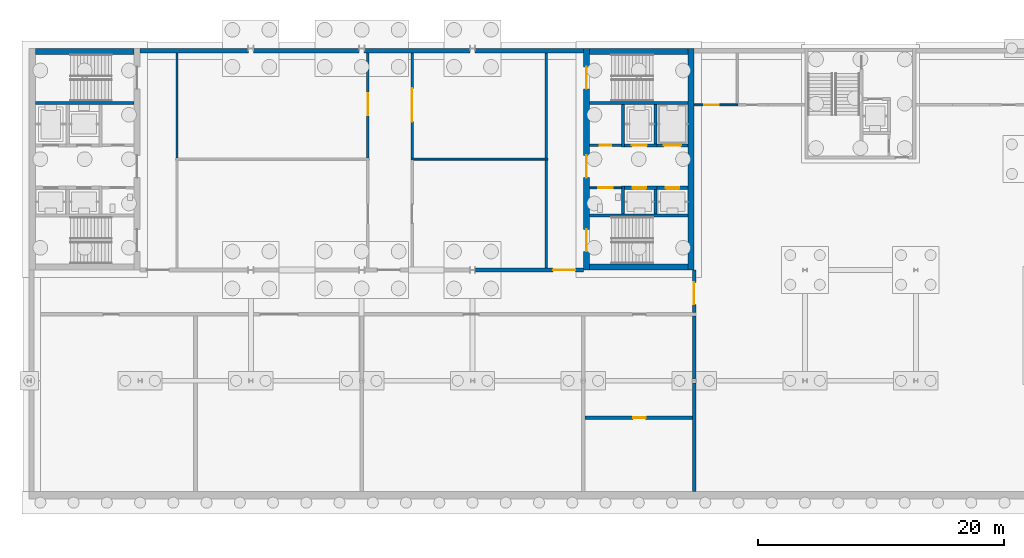
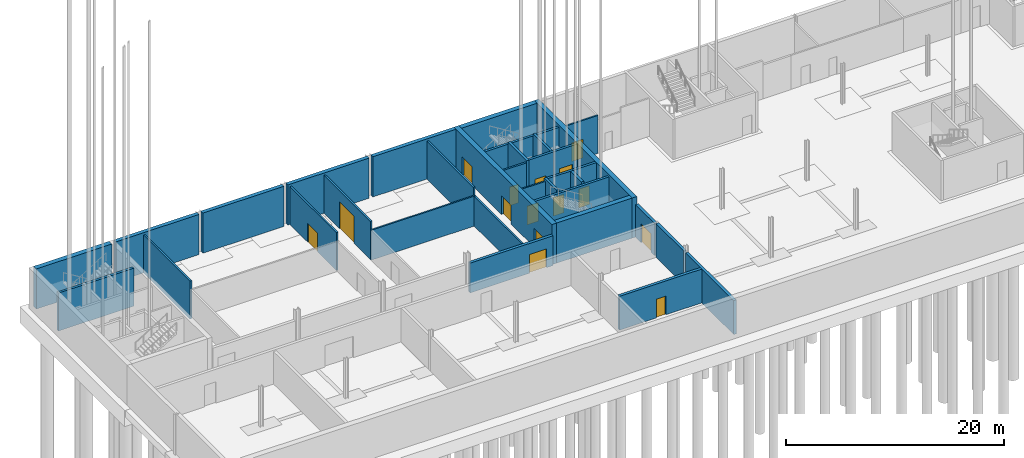
# One storey, part 13 of 41: 34 walls, 15 doors, 15 openings.
"""IFC4 building model written with IfcOpenShell, lengths in metres."""

from ifc_helpers import new_model, si_unit, direction, frame, frame_2d, origin, place, context, subcontext, project, spatial, rectangle, extrude, material, layer, layer_set, type_object, element, fill, save


model = new_model("IFC4")

# Units and contexts
model_context = context("Model", 3, precision=1e-05, world=origin(), true_north=direction((0.0, 1.0)))
body_context = subcontext(model_context, "Body", "Model", "MODEL_VIEW")
ifc_project = project(units=[si_unit("LENGTHUNIT", "METRE"), si_unit("AREAUNIT", "SQUARE_METRE"), si_unit("VOLUMEUNIT", "CUBIC_METRE"), si_unit("PLANEANGLEUNIT", "RADIAN"), si_unit("MASSUNIT", "GRAM", prefix="KILO")], contexts=[model_context])

# Site, building, storey
site_placement = place(None, origin())
site = spatial("IfcSite", under=ifc_project, at=site_placement, CompositionType="ELEMENT")
building_placement = place(site_placement, origin())
building = spatial("IfcBuilding", under=site, at=building_placement, Name="Corbel Yard City Hall", CompositionType="ELEMENT")
storey_placement = place(building_placement, frame((0.0, 0.0, -4.5)))
storey = spatial("IfcBuildingStorey", under=building, at=storey_placement, Name="B1", CompositionType="ELEMENT", Elevation=-4.5)

# Walls
ifc_material_1 = material(Name="Concrete N40 (40 MPa)", Category="concrete")
ifc_layer_1 = layer(ifc_material_1, 0.25)
ifc_layer_set_1 = layer_set([ifc_layer_1], Name="Concrete N40 (40 MPa)")
wall_type_1 = type_object("IfcWallType", Name="IW2", PredefinedType="SOLIDWALL", material=ifc_layer_set_1)
for number, where, z_axis, x_axis, name in (
    (1, (8.5, 112.574951171875, 0.0), (0.0, 0.0, 1.0), (-1.0, 0.0, 0.0), "Stair enclosure wall"),
    (2, (45.5, 103.425048828125, 0.0), (0.0, 0.0, 1.0), (1.0, 0.0, 0.0), "Stair enclosure wall"),
    (3, (45.5, 112.574951171875, 0.0), (0.0, 0.0, 1.0), (1.0, 0.0, 0.0), "Stair enclosure wall"),
):
    element("IfcWall", number, at=place(storey_placement, frame(where, z_axis=z_axis, x_axis=x_axis)), inside=storey, type_object=wall_type_1, Name=name, PredefinedType="SOLIDWALL", context=body_context, shape_type="SweptSolid", body=[
        extrude(rectangle(XDim=8.0, YDim=0.25, at=frame_2d((4.0, 0.0))), origin(), (0.0, 0.0, 1.0), 4.25),
    ])
wall_1_placement = place(storey_placement, frame((48.22509765625, 103.550048828125, 0.0), z_axis=(0.0, 0.0, 1.0), x_axis=(0.0, 1.0, 0.0)))
element("IfcWall", 4, at=wall_1_placement, inside=storey, type_object=wall_type_1, Name="Lift LP25 shaft wall", PredefinedType="SOLIDWALL", context=body_context, shape_type="SweptSolid", body=[
    extrude(rectangle(XDim=2.25, YDim=0.25, at=frame_2d((1.125, 0.0))), origin(), (0.0, 0.0, 1.0), 4.5),
])
wall_2_placement = place(storey_placement, frame((50.875, 103.550048828125, 0.0), z_axis=(0.0, 0.0, 1.0), x_axis=(0.0, 1.0, 0.0)))
element("IfcWall", 5, at=wall_2_placement, inside=storey, type_object=wall_type_1, Name="Lift LP25 shaft wall", PredefinedType="SOLIDWALL", context=body_context, shape_type="SweptSolid", body=[
    extrude(rectangle(XDim=2.0, YDim=0.25, at=frame_2d((1.0, 0.0))), origin(), (0.0, 0.0, 1.0), 4.5),
])

# Wall, opening, door
wall_3_placement = place(storey_placement, frame((48.35009765625, 105.675048828125, 0.0), z_axis=(0.0, 0.0, 1.0), x_axis=(1.0, 0.0, 0.0)))
wall_3 = element("IfcWall", 6, at=wall_3_placement, inside=storey, type_object=wall_type_1, Name="Lift LP25 shaft wall", PredefinedType="SOLIDWALL", context=body_context, shape_type="SweptSolid", body=[
    extrude(rectangle(XDim=2.64990234375, YDim=0.25, at=frame_2d((1.324951171875, 0.0))), origin(), (0.0, 0.0, 1.0), 4.5),
])
opening_1_placement = place(wall_3_placement, frame((0.64990234375, 0.0, 0.0)))
opening_1 = element("IfcOpeningElement", 7, at=opening_1_placement, cuts=wall_3, Name="Opening B1-053", PredefinedType="OPENING", context=body_context, shape_type="SweptSolid", body=[
    extrude(rectangle(XDim=1.10009765625, YDim=2.10009765625, at=frame_2d((0.550048828125, 1.050048828125))), frame((0.0, 0.135009765625, 0.0), z_axis=(0.0, -1.0, 0.0), x_axis=(1.0, 0.0, 0.0)), (0.0, 0.0, 1.0), 0.27001953125),
])
ifc_material_2 = material(Name="Stainless steel Grade 316", Category="steel")
door_type_1 = type_object("IfcDoorType", Name="LD1", OperationType="DOUBLE_DOOR_SLIDING", PredefinedType="DOOR", material=ifc_material_2)
door_1_placement = place(opening_1_placement, origin())
door_1 = element("IfcDoor", 8, at=door_1_placement, inside=storey, type_object=door_type_1, Name="Lift LP25 landing door", OperationType="DOUBLE_DOOR_SLIDING", OverallHeight=2.10009765625, OverallWidth=1.10009765625, PredefinedType="DOOR", context=body_context, shape_type="SweptSolid", body=[
    extrude(rectangle(XDim=1.10009765625, YDim=2.10009765625, at=frame_2d((0.550048828125, 1.050048828125))), frame((0.0, 0.02490234375, 0.0), z_axis=(0.0, -1.0, 0.0), x_axis=(1.0, 0.0, 0.0)), (0.0, 0.0, 1.0), 0.050048828125),
])
fill(opening_1, door_1)

wall_4_placement = place(storey_placement, frame((51.0, 105.675048828125, 0.0), z_axis=(0.0, 0.0, 1.0), x_axis=(1.0, 0.0, 0.0)))
wall_4 = element("IfcWall", 9, at=wall_4_placement, inside=storey, type_object=wall_type_1, Name="Lift LP26 shaft wall", PredefinedType="SOLIDWALL", context=body_context, shape_type="SweptSolid", body=[
    extrude(rectangle(XDim=2.5, YDim=0.25, at=frame_2d((1.25, 0.0))), origin(), (0.0, 0.0, 1.0), 4.5),
])
opening_2_placement = place(wall_4_placement, frame((0.699951171875, 0.0, 0.0)))
opening_2 = element("IfcOpeningElement", 10, at=opening_2_placement, cuts=wall_4, Name="Opening B1-054", PredefinedType="OPENING", context=body_context, shape_type="SweptSolid", body=[
    extrude(rectangle(XDim=1.10009765625, YDim=2.10009765625, at=frame_2d((0.550048828125, 1.050048828125))), frame((0.0, 0.135009765625, 0.0), z_axis=(0.0, -1.0, 0.0), x_axis=(1.0, 0.0, 0.0)), (0.0, 0.0, 1.0), 0.27001953125),
])
door_2_placement = place(opening_2_placement, origin())
door_2 = element("IfcDoor", 11, at=door_2_placement, inside=storey, type_object=door_type_1, Name="Lift LP26 landing door", OperationType="DOUBLE_DOOR_SLIDING", OverallHeight=2.10009765625, OverallWidth=1.10009765625, PredefinedType="DOOR", context=body_context, shape_type="SweptSolid", body=[
    extrude(rectangle(XDim=1.10009765625, YDim=2.10009765625, at=frame_2d((0.550048828125, 1.050048828125))), frame((0.0, 0.02490234375, 0.0), z_axis=(0.0, -1.0, 0.0), x_axis=(1.0, 0.0, 0.0)), (0.0, 0.0, 1.0), 0.050048828125),
])
fill(opening_2, door_2)

# Walls
wall_5_placement = place(storey_placement, frame((48.22509765625, 109.0, 0.0), z_axis=(0.0, 0.0, 1.0), x_axis=(0.0, 1.0, 0.0)))
element("IfcWall", 12, at=wall_5_placement, inside=storey, type_object=wall_type_1, Name="Lift LF2 shaft wall", PredefinedType="SOLIDWALL", context=body_context, shape_type="SweptSolid", body=[
    extrude(rectangle(XDim=3.449951171875, YDim=0.25, at=frame_2d((1.72509765625, 0.0))), origin(), (0.0, 0.0, 1.0), 4.5),
])
wall_6_placement = place(storey_placement, frame((50.875, 109.25, 0.0), z_axis=(0.0, 0.0, 1.0), x_axis=(0.0, 1.0, 0.0)))
element("IfcWall", 13, at=wall_6_placement, inside=storey, type_object=wall_type_1, Name="Lift LF2 shaft wall", PredefinedType="SOLIDWALL", context=body_context, shape_type="SweptSolid", body=[
    extrude(rectangle(XDim=3.199951171875, YDim=0.25, at=frame_2d((1.60009765625, 0.0))), origin(), (0.0, 0.0, 1.0), 4.5),
])

# Wall, opening, door
wall_7_placement = place(storey_placement, frame((48.35009765625, 109.125, 0.0), z_axis=(0.0, 0.0, 1.0), x_axis=(1.0, 0.0, 0.0)))
wall_7 = element("IfcWall", 14, at=wall_7_placement, inside=storey, type_object=wall_type_1, Name="Lift LF2 shaft wall", PredefinedType="SOLIDWALL", context=body_context, shape_type="SweptSolid", body=[
    extrude(rectangle(XDim=2.64990234375, YDim=0.25, at=frame_2d((1.324951171875, 0.0))), origin(), (0.0, 0.0, 1.0), 4.5),
])
opening_3_placement = place(wall_7_placement, frame((0.60009765625, 0.0, 0.0)))
opening_3 = element("IfcOpeningElement", 15, at=opening_3_placement, cuts=wall_7, Name="Opening B1-055", PredefinedType="OPENING", context=body_context, shape_type="SweptSolid", body=[
    extrude(rectangle(XDim=1.199951171875, YDim=2.10009765625, at=frame_2d((0.60009765625, 1.050048828125))), frame((0.0, 0.135009765625, 0.0), z_axis=(0.0, -1.0, 0.0), x_axis=(1.0, 0.0, 0.0)), (0.0, 0.0, 1.0), 0.27001953125),
])
door_type_2 = type_object("IfcDoorType", Name="LD2", OperationType="DOUBLE_DOOR_SLIDING", PredefinedType="DOOR", material=ifc_material_2)
door_3_placement = place(opening_3_placement, origin())
door_3 = element("IfcDoor", 16, at=door_3_placement, inside=storey, type_object=door_type_2, Name="Lift LF2 landing door", OperationType="DOUBLE_DOOR_SLIDING", OverallHeight=2.10009765625, OverallWidth=1.199951171875, PredefinedType="DOOR", context=body_context, shape_type="SweptSolid", body=[
    extrude(rectangle(XDim=1.199951171875, YDim=2.10009765625, at=frame_2d((0.60009765625, 1.050048828125))), frame((0.0, 0.02490234375, 0.0), z_axis=(0.0, -1.0, 0.0), x_axis=(1.0, 0.0, 0.0)), (0.0, 0.0, 1.0), 0.050048828125),
])
fill(opening_3, door_3)

wall_8_placement = place(storey_placement, frame((51.0, 109.125, 0.0), z_axis=(0.0, 0.0, 1.0), x_axis=(1.0, 0.0, 0.0)))
wall_8 = element("IfcWall", 17, at=wall_8_placement, inside=storey, type_object=wall_type_1, Name="Lift LG1 shaft wall", PredefinedType="SOLIDWALL", context=body_context, shape_type="SweptSolid", body=[
    extrude(rectangle(XDim=2.5, YDim=0.25, at=frame_2d((1.25, 0.0))), origin(), (0.0, 0.0, 1.0), 4.5),
])
opening_4_placement = place(wall_8_placement, frame((0.550048828125, 0.0, 0.0)))
opening_4 = element("IfcOpeningElement", 18, at=opening_4_placement, cuts=wall_8, Name="Opening B1-056", PredefinedType="OPENING", context=body_context, shape_type="SweptSolid", body=[
    extrude(rectangle(XDim=1.39990234375, YDim=2.39990234375, at=frame_2d((0.699951171875, 1.199951171875))), frame((0.0, 0.135009765625, 0.0), z_axis=(0.0, -1.0, 0.0), x_axis=(1.0, 0.0, 0.0)), (0.0, 0.0, 1.0), 0.27001953125),
])
door_type_3 = type_object("IfcDoorType", Name="LD3", OperationType="DOUBLE_DOOR_SLIDING", PredefinedType="DOOR", material=ifc_material_2)
door_4_placement = place(opening_4_placement, origin())
door_4 = element("IfcDoor", 19, at=door_4_placement, inside=storey, type_object=door_type_3, Name="Lift LG1 landing door", OperationType="DOUBLE_DOOR_SLIDING", OverallHeight=2.39990234375, OverallWidth=1.39990234375, PredefinedType="DOOR", context=body_context, shape_type="SweptSolid", body=[
    extrude(rectangle(XDim=1.39990234375, YDim=2.39990234375, at=frame_2d((0.699951171875, 1.199951171875))), frame((0.0, 0.02490234375, 0.0), z_axis=(0.0, -1.0, 0.0), x_axis=(1.0, 0.0, 0.0)), (0.0, 0.0, 1.0), 0.050048828125),
])
fill(opening_4, door_4)

ifc_material_3 = material(Name="Concrete block", Category="concrete")
ifc_layer_2 = layer(ifc_material_3, 0.300048828125)
ifc_layer_set_2 = layer_set([ifc_layer_2], Name="Concrete block")
wall_type_2 = type_object("IfcWallType", Name="PT24", PredefinedType="PARTITIONING", material=ifc_layer_set_2)
wall_9_placement = place(storey_placement, frame((45.14990234375, 87.0, 0.0), z_axis=(0.0, 0.0, 1.0), x_axis=(1.0, 0.0, 0.0)))
wall_9 = element("IfcWall", 20, at=wall_9_placement, inside=storey, type_object=wall_type_2, Name="Rated plant wall", PredefinedType="PARTITIONING", context=body_context, shape_type="SweptSolid", body=[
    extrude(rectangle(XDim=8.7001953125, YDim=0.300048828125, at=frame_2d((4.35009765625, 0.0))), origin(), (0.0, 0.0, 1.0), 3.7900390625),
])
opening_5_placement = place(wall_9_placement, frame((3.89990234375, 0.0, 0.0)))
opening_5 = element("IfcOpeningElement", 21, at=opening_5_placement, cuts=wall_9, Name="Opening B1-029", PredefinedType="OPENING", context=body_context, shape_type="SweptSolid", body=[
    extrude(rectangle(XDim=1.0, YDim=2.10009765625, at=frame_2d((0.5, 1.050048828125))), frame((0.0, 0.159912109375, 0.0), z_axis=(0.0, -1.0, 0.0), x_axis=(1.0, 0.0, 0.0)), (0.0, 0.0, 1.0), 0.320068359375),
])
ifc_material_4 = material(Name="Steel Grade G250", Category="steel")
door_type_4 = type_object("IfcDoorType", Name="FS1", OperationType="SINGLE_SWING_LEFT", PredefinedType="DOOR", material=ifc_material_4)
door_5_placement = place(opening_5_placement, frame((1.0, 0.0, 0.0), z_axis=(0.0, 0.0, 1.0), x_axis=(-1.0, 0.0, 0.0)))
door_5 = element("IfcDoor", 22, at=door_5_placement, inside=storey, type_object=door_type_4, Name="Door Fire Water Tank Room", OperationType="SINGLE_SWING_LEFT", OverallHeight=2.10009765625, OverallWidth=1.0, PredefinedType="DOOR", context=body_context, shape_type="SweptSolid", body=[
    extrude(rectangle(XDim=1.0, YDim=2.10009765625, at=frame_2d((0.5, 1.050048828125))), frame((0.0, 0.02490234375, 0.0), z_axis=(0.0, -1.0, 0.0), x_axis=(1.0, 0.0, 0.0)), (0.0, 0.0, 1.0), 0.050048828125),
])
fill(opening_5, door_5)

wall_10_placement = place(storey_placement, frame((36.25, 99.0, 0.0), z_axis=(0.0, 0.0, 1.0), x_axis=(1.0, 0.0, 0.0)))
wall_10 = element("IfcWall", 23, at=wall_10_placement, inside=storey, type_object=wall_type_2, Name="Rated plant wall", PredefinedType="PARTITIONING", context=body_context, shape_type="SweptSolid", body=[
    extrude(rectangle(XDim=8.75, YDim=0.300048828125, at=frame_2d((4.375, 0.0))), origin(), (0.0, 0.0, 1.0), 3.340087890625),
])
opening_6_placement = place(wall_10_placement, frame((6.300048828125, 0.0, 0.0)))
opening_6 = element("IfcOpeningElement", 24, at=opening_6_placement, cuts=wall_10, Name="Opening B1-037", PredefinedType="OPENING", context=body_context, shape_type="SweptSolid", body=[
    extrude(rectangle(XDim=1.800048828125, YDim=2.10009765625, at=frame_2d((0.89990234375, 1.050048828125))), frame((0.0, 0.159912109375, 0.0), z_axis=(0.0, -1.0, 0.0), x_axis=(1.0, 0.0, 0.0)), (0.0, 0.0, 1.0), 0.320068359375),
])
door_type_5 = type_object("IfcDoorType", Name="FS3", OperationType="DOUBLE_DOOR_SINGLE_SWING", PredefinedType="DOOR", material=ifc_material_4)
door_6_placement = place(opening_6_placement, origin())
door_6 = element("IfcDoor", 25, at=door_6_placement, inside=storey, type_object=door_type_5, Name="Door Plant Corridor East Link", OperationType="DOUBLE_DOOR_SINGLE_SWING", OverallHeight=2.10009765625, OverallWidth=1.800048828125, PredefinedType="DOOR", context=body_context, shape_type="SweptSolid", body=[
    extrude(rectangle(XDim=1.800048828125, YDim=2.10009765625, at=frame_2d((0.89990234375, 1.050048828125))), frame((0.0, 0.02490234375, 0.0), z_axis=(0.0, -1.0, 0.0), x_axis=(1.0, 0.0, 0.0)), (0.0, 0.0, 1.0), 0.050048828125),
])
fill(opening_6, door_6)

# Walls
wall_11_placement = place(storey_placement, frame((54.0, 81.0, 0.0), z_axis=(0.0, 0.0, 1.0), x_axis=(0.0, 1.0, 0.0)))
element("IfcWall", 26, at=wall_11_placement, inside=storey, type_object=wall_type_2, Name="Rated plant wall", PredefinedType="PARTITIONING", context=body_context, shape_type="SweptSolid", body=[
    extrude(rectangle(XDim=8.83642578125, YDim=0.300048828125, at=frame_2d((4.418212890625, 0.0))), origin(), (0.0, 0.0, 1.0), 3.7900390625),
])
wall_12_placement = place(storey_placement, frame((54.0, 90.16357421875, 0.0), z_axis=(0.0, 0.0, 1.0), x_axis=(0.0, 1.0, 0.0)))
element("IfcWall", 27, at=wall_12_placement, inside=storey, type_object=wall_type_2, Name="Rated plant wall", PredefinedType="PARTITIONING", context=body_context, shape_type="SweptSolid", body=[
    extrude(rectangle(XDim=5.08642578125, YDim=0.300048828125, at=frame_2d((2.543212890625, 0.0))), origin(), (0.0, 0.0, 1.0), 3.7900390625),
])

# Wall, opening, door
wall_13_placement = place(storey_placement, frame((54.0, 95.550048828125, 0.0), z_axis=(0.0, 0.0, 1.0), x_axis=(0.0, 1.0, 0.0)))
wall_13 = element("IfcWall", 28, at=wall_13_placement, inside=storey, type_object=wall_type_2, Name="Rated plant wall", PredefinedType="PARTITIONING", context=body_context, shape_type="SweptSolid", body=[
    extrude(rectangle(XDim=3.449951171875, YDim=0.300048828125, at=frame_2d((1.72509765625, 0.0))), origin(), (0.0, 0.0, 1.0), 3.637939453125),
])
opening_7_placement = place(wall_13_placement, frame((0.64990234375, 0.0, 0.0)))
opening_7 = element("IfcOpeningElement", 29, at=opening_7_placement, cuts=wall_13, Name="Opening B1-030", PredefinedType="OPENING", context=body_context, shape_type="SweptSolid", body=[
    extrude(rectangle(XDim=1.800048828125, YDim=2.10009765625, at=frame_2d((0.89990234375, 1.050048828125))), frame((0.0, 0.159912109375, 0.0), z_axis=(0.0, -1.0, 0.0), x_axis=(1.0, 0.0, 0.0)), (0.0, 0.0, 1.0), 0.320068359375),
])
door_7_placement = place(opening_7_placement, origin())
door_7 = element("IfcDoor", 30, at=door_7_placement, inside=storey, type_object=door_type_5, Name="Door Plant Corridor", OperationType="DOUBLE_DOOR_SINGLE_SWING", OverallHeight=2.10009765625, OverallWidth=1.800048828125, PredefinedType="DOOR", context=body_context, shape_type="SweptSolid", body=[
    extrude(rectangle(XDim=1.800048828125, YDim=2.10009765625, at=frame_2d((0.89990234375, 1.050048828125))), frame((0.0, 0.02490234375, 0.0), z_axis=(0.0, -1.0, 0.0), x_axis=(1.0, 0.0, 0.0)), (0.0, 0.0, 1.0), 0.050048828125),
])
fill(opening_7, door_7)

# Wall
ifc_material_5 = material(Name="Gypsum plasterboard", Category="gypsum")
ifc_layer_3 = layer(ifc_material_5, 0.031982421875)
ifc_material_6 = material(Name="Steel Grade G550 (550 MPa yield)", Category="steel")
ifc_layer_4 = layer(ifc_material_6, 0.095947265625)
ifc_layer_5 = layer(ifc_material_5, 0.031982421875)
ifc_layer_set_3 = layer_set([ifc_layer_3, ifc_layer_4, ifc_layer_5], Name="Steel Grade G550 (550 MPa yield)")
wall_type_3 = type_object("IfcWallType", Name="PT3", PredefinedType="PARTITIONING", material=ifc_layer_set_3)
wall_14_placement = place(storey_placement, frame((31.0048828125, 108.0, 0.0), z_axis=(0.0, 0.0, 1.0), x_axis=(1.0, 0.0, 0.0)))
element("IfcWall", 31, at=wall_14_placement, inside=storey, type_object=wall_type_3, Name="Fire-resisting wall", PredefinedType="PARTITIONING", context=body_context, shape_type="SweptSolid", body=[
    extrude(rectangle(XDim=11.090087890625, YDim=0.159912109375, at=frame_2d((5.544921875, 0.0))), origin(), (0.0, 0.0, 1.0), 3.35009765625),
])

# Wall, opening, door
wall_15_placement = place(storey_placement, frame((54.0, 112.39990234375, 0.0), z_axis=(0.0, 0.0, 1.0), x_axis=(1.0, 0.0, 0.0)))
wall_15 = element("IfcWall", 32, at=wall_15_placement, inside=storey, type_object=wall_type_3, Name="Fire-resisting wall", PredefinedType="PARTITIONING", context=body_context, shape_type="SweptSolid", body=[
    extrude(rectangle(XDim=3.580078125, YDim=0.159912109375, at=frame_2d((1.7900390625, 0.0))), origin(), (0.0, 0.0, 1.0), 4.25),
])
opening_8_placement = place(wall_15_placement, frame((0.800048828125, 0.0, 0.0)))
opening_8 = element("IfcOpeningElement", 33, at=opening_8_placement, cuts=wall_15, Name="Opening B1-038", PredefinedType="OPENING", context=body_context, shape_type="SweptSolid", body=[
    extrude(rectangle(XDim=1.199951171875, YDim=2.10009765625, at=frame_2d((0.60009765625, 1.050048828125))), frame((0.0, 0.08984375, 0.0), z_axis=(0.0, -1.0, 0.0), x_axis=(1.0, 0.0, 0.0)), (0.0, 0.0, 1.0), 0.179931640625),
])
door_type_6 = type_object("IfcDoorType", Name="FD7", OperationType="SINGLE_SWING_LEFT", PredefinedType="DOOR", material=ifc_material_4)
door_8_placement = place(opening_8_placement, origin())
door_8 = element("IfcDoor", 34, at=door_8_placement, inside=storey, type_object=door_type_6, Name="Door Accessible WC", OperationType="SINGLE_SWING_LEFT", OverallHeight=2.10009765625, OverallWidth=1.199951171875, PredefinedType="DOOR", context=body_context, shape_type="SweptSolid", body=[
    extrude(rectangle(XDim=1.199951171875, YDim=2.10009765625, at=frame_2d((0.60009765625, 1.050048828125))), frame((0.0, 0.02490234375, 0.0), z_axis=(0.0, -1.0, 0.0), x_axis=(1.0, 0.0, 0.0)), (0.0, 0.0, 1.0), 0.050048828125),
])
fill(opening_8, door_8)

wall_16_placement = place(storey_placement, frame((45.5, 105.675048828125, 0.0), z_axis=(0.0, 0.0, 1.0), x_axis=(1.0, 0.0, 0.0)))
wall_16 = element("IfcWall", 35, at=wall_16_placement, inside=storey, type_object=wall_type_3, Name="Accessible WC wall", PredefinedType="PARTITIONING", context=body_context, shape_type="SweptSolid", body=[
    extrude(rectangle(XDim=2.60009765625, YDim=0.159912109375, at=frame_2d((1.300048828125, 0.0))), origin(), (0.0, 0.0, 1.0), 4.25),
])
opening_9_placement = place(wall_16_placement, frame((0.699951171875, 0.0, 0.0)))
opening_9 = element("IfcOpeningElement", 36, at=opening_9_placement, cuts=wall_16, Name="Opening B1-065", PredefinedType="OPENING", context=body_context, shape_type="SweptSolid", body=[
    extrude(rectangle(XDim=1.199951171875, YDim=2.10009765625, at=frame_2d((0.60009765625, 1.050048828125))), frame((0.0, 0.08984375, 0.0), z_axis=(0.0, -1.0, 0.0), x_axis=(1.0, 0.0, 0.0)), (0.0, 0.0, 1.0), 0.179931640625),
])
door_9_placement = place(opening_9_placement, frame((1.199951171875, 0.0, 0.0), z_axis=(0.0, 0.0, 1.0), x_axis=(-1.0, 0.0, 0.0)))
door_9 = element("IfcDoor", 37, at=door_9_placement, inside=storey, type_object=door_type_6, Name="Door accessible WC East", OperationType="SINGLE_SWING_RIGHT", OverallHeight=2.10009765625, OverallWidth=1.199951171875, PredefinedType="DOOR", context=body_context, shape_type="SweptSolid", body=[
    extrude(rectangle(XDim=1.199951171875, YDim=2.10009765625, at=frame_2d((0.60009765625, 1.050048828125))), frame((0.0, 0.02490234375, 0.0), z_axis=(0.0, -1.0, 0.0), x_axis=(1.0, 0.0, 0.0)), (0.0, 0.0, 1.0), 0.050048828125),
])
fill(opening_9, door_9)

# Wall
ifc_layer_6 = layer(ifc_material_3, 0.18994140625)
ifc_layer_set_4 = layer_set([ifc_layer_6], Name="Concrete block")
wall_type_4 = type_object("IfcWallType", Name="PT4", PredefinedType="PARTITIONING", material=ifc_layer_set_4)
wall_17_placement = place(storey_placement, frame((12.0, 108.080078125, 0.0), z_axis=(0.0, 0.0, 1.0), x_axis=(0.0, 1.0, 0.0)))
element("IfcWall", 38, at=wall_17_placement, inside=storey, type_object=wall_type_4, Name="Fire-resisting block wall", PredefinedType="PARTITIONING", context=body_context, shape_type="SweptSolid", body=[
    extrude(rectangle(XDim=8.52001953125, YDim=0.18994140625, at=frame_2d((4.260009765625, 0.0))), origin(), (0.0, 0.0, 1.0), 4.25),
])

# Wall, opening, door
wall_18_placement = place(storey_placement, frame((27.5, 108.080078125, 0.0), z_axis=(0.0, 0.0, 1.0), x_axis=(0.0, 1.0, 0.0)))
wall_18 = element("IfcWall", 39, at=wall_18_placement, inside=storey, type_object=wall_type_4, Name="Fire-resisting block wall", PredefinedType="PARTITIONING", context=body_context, shape_type="SweptSolid", body=[
    extrude(rectangle(XDim=8.52001953125, YDim=0.18994140625, at=frame_2d((4.260009765625, 0.0))), origin(), (0.0, 0.0, 1.0), 4.25),
])
opening_10_placement = place(wall_18_placement, frame((3.469970703125, 0.0, 0.0)))
opening_10 = element("IfcOpeningElement", 40, at=opening_10_placement, cuts=wall_18, Name="Opening B1-032", PredefinedType="OPENING", context=body_context, shape_type="SweptSolid", body=[
    extrude(rectangle(XDim=1.800048828125, YDim=2.10009765625, at=frame_2d((0.89990234375, 1.050048828125))), frame((0.0, 0.10498046875, 0.0), z_axis=(0.0, -1.0, 0.0), x_axis=(1.0, 0.0, 0.0)), (0.0, 0.0, 1.0), 0.2099609375),
])
door_10_placement = place(opening_10_placement, origin())
door_10 = element("IfcDoor", 41, at=door_10_placement, inside=storey, type_object=door_type_5, Name="Door End-of-Trip Facility", OperationType="DOUBLE_DOOR_SINGLE_SWING", OverallHeight=2.10009765625, OverallWidth=1.800048828125, PredefinedType="DOOR", context=body_context, shape_type="SweptSolid", body=[
    extrude(rectangle(XDim=1.800048828125, YDim=2.10009765625, at=frame_2d((0.89990234375, 1.050048828125))), frame((0.0, 0.02490234375, 0.0), z_axis=(0.0, -1.0, 0.0), x_axis=(1.0, 0.0, 0.0)), (0.0, 0.0, 1.0), 0.050048828125),
])
fill(opening_10, door_10)

wall_19_placement = place(storey_placement, frame((31.10009765625, 108.080078125, 0.0), z_axis=(0.0, 0.0, 1.0), x_axis=(0.0, 1.0, 0.0)))
wall_19 = element("IfcWall", 42, at=wall_19_placement, inside=storey, type_object=wall_type_4, Name="Fire-resisting block wall", PredefinedType="PARTITIONING", context=body_context, shape_type="SweptSolid", body=[
    extrude(rectangle(XDim=8.52001953125, YDim=0.18994140625, at=frame_2d((4.260009765625, 0.0))), origin(), (0.0, 0.0, 1.0), 4.25),
])
opening_11_placement = place(wall_19_placement, frame((2.969970703125, 0.0, 0.0)))
opening_11 = element("IfcOpeningElement", 43, at=opening_11_placement, cuts=wall_19, Name="Opening B1-034", PredefinedType="OPENING", context=body_context, shape_type="SweptSolid", body=[
    extrude(rectangle(XDim=2.699951171875, YDim=3.0, at=frame_2d((1.35009765625, 1.5))), frame((0.0, 0.10498046875, 0.0), z_axis=(0.0, -1.0, 0.0), x_axis=(1.0, 0.0, 0.0)), (0.0, 0.0, 1.0), 0.2099609375),
])
door_type_7 = type_object("IfcDoorType", Name="FS35", OperationType="ROLLINGUP", PredefinedType="DOOR", material=ifc_material_4)
door_11_placement = place(opening_11_placement, origin())
door_11 = element("IfcDoor", 44, at=door_11_placement, inside=storey, type_object=door_type_7, Name="Door Waste Room", OperationType="ROLLINGUP", OverallHeight=3.0, OverallWidth=2.699951171875, PredefinedType="DOOR", context=body_context, shape_type="SweptSolid", body=[
    extrude(rectangle(XDim=2.699951171875, YDim=3.0, at=frame_2d((1.35009765625, 1.5))), frame((0.0, 0.02490234375, 0.0), z_axis=(0.0, -1.0, 0.0), x_axis=(1.0, 0.0, 0.0)), (0.0, 0.0, 1.0), 0.050048828125),
])
fill(opening_11, door_11)

# Walls
wall_20_placement = place(storey_placement, frame((42.0, 99.14990234375, 0.0), z_axis=(0.0, 0.0, 1.0), x_axis=(0.0, 1.0, 0.0)))
element("IfcWall", 45, at=wall_20_placement, inside=storey, type_object=wall_type_4, Name="Fire-resisting block wall", PredefinedType="PARTITIONING", context=body_context, shape_type="SweptSolid", body=[
    extrude(rectangle(XDim=8.77001953125, YDim=0.18994140625, at=frame_2d((4.385009765625, 0.0))), origin(), (0.0, 0.0, 1.0), 3.340087890625),
])
wall_21_placement = place(storey_placement, frame((42.0, 108.080078125, 0.0), z_axis=(0.0, 0.0, 1.0), x_axis=(0.0, 1.0, 0.0)))
element("IfcWall", 46, at=wall_21_placement, inside=storey, type_object=wall_type_4, Name="Fire-resisting block wall", PredefinedType="PARTITIONING", context=body_context, shape_type="SweptSolid", body=[
    extrude(rectangle(XDim=8.52001953125, YDim=0.18994140625, at=frame_2d((4.260009765625, 0.0))), origin(), (0.0, 0.0, 1.0), 4.25),
])

# Wall, opening, door
wall_22_placement = place(storey_placement, frame((45.5, 109.125, 0.0), z_axis=(0.0, 0.0, 1.0), x_axis=(1.0, 0.0, 0.0)))
wall_22 = element("IfcWall", 47, at=wall_22_placement, inside=storey, type_object=wall_type_4, Name="Riser wall", PredefinedType="PARTITIONING", context=body_context, shape_type="SweptSolid", body=[
    extrude(rectangle(XDim=2.60009765625, YDim=0.18994140625, at=frame_2d((1.300048828125, 0.0))), origin(), (0.0, 0.0, 1.0), 4.25),
])
opening_12_placement = place(wall_22_placement, frame((0.840087890625, 0.0, 0.0)))
opening_12 = element("IfcOpeningElement", 48, at=opening_12_placement, cuts=wall_22, Name="Opening B1-066", PredefinedType="OPENING", context=body_context, shape_type="SweptSolid", body=[
    extrude(rectangle(XDim=0.919921875, YDim=2.10009765625, at=frame_2d((0.4599609375, 1.050048828125))), frame((0.0, 0.10498046875, 0.0), z_axis=(0.0, -1.0, 0.0), x_axis=(1.0, 0.0, 0.0)), (0.0, 0.0, 1.0), 0.2099609375),
])
door_type_8 = type_object("IfcDoorType", Name="FS4", OperationType="SINGLE_SWING_LEFT", PredefinedType="DOOR", material=ifc_material_4)
door_12_placement = place(opening_12_placement, origin())
door_12 = element("IfcDoor", 49, at=door_12_placement, inside=storey, type_object=door_type_8, Name="Door riser East", OperationType="SINGLE_SWING_LEFT", OverallHeight=2.10009765625, OverallWidth=0.919921875, PredefinedType="DOOR", context=body_context, shape_type="SweptSolid", body=[
    extrude(rectangle(XDim=0.919921875, YDim=2.10009765625, at=frame_2d((0.4599609375, 1.050048828125))), frame((0.0, 0.02490234375, 0.0), z_axis=(0.0, -1.0, 0.0), x_axis=(1.0, 0.0, 0.0)), (0.0, 0.0, 1.0), 0.050048828125),
])
fill(opening_12, door_12)

# Walls
ifc_layer_7 = layer(ifc_material_1, 0.39990234375)
ifc_layer_set_5 = layer_set([ifc_layer_7], Name="Concrete N40 (40 MPa)")
wall_type_5 = type_object("IfcWallType", Name="Retaining wall 400", PredefinedType="SOLIDWALL", material=ifc_layer_set_5)
wall_23_placement = place(storey_placement, frame((9.0, 116.800048828125, 0.0), z_axis=(0.0, 0.0, 1.0), x_axis=(1.0, 0.0, 0.0)))
element("IfcWall", 50, at=wall_23_placement, inside=storey, type_object=wall_type_5, Name="Retaining wall RET-N1-1", PredefinedType="SOLIDWALL", context=body_context, shape_type="SweptSolid", body=[
    extrude(rectangle(XDim=8.800048828125, YDim=0.39990234375, at=frame_2d((4.39990234375, 0.0))), origin(), (0.0, 0.0, 1.0), 4.5),
])
for number, where, z_axis, x_axis, name in (
    (51, (18.199951171875, 116.800048828125, 0.0), (0.0, 0.0, 1.0), (1.0, 0.0, 0.0), "Retaining wall RET-N1-2"),
    (52, (27.199951171875, 116.800048828125, 0.0), (0.0, 0.0, 1.0), (1.0, 0.0, 0.0), "Retaining wall RET-N1-3"),
):
    element("IfcWall", number, at=place(storey_placement, frame(where, z_axis=z_axis, x_axis=x_axis)), inside=storey, type_object=wall_type_5, Name=name, PredefinedType="SOLIDWALL", context=body_context, shape_type="SweptSolid", body=[
        extrude(rectangle(XDim=8.60009765625, YDim=0.39990234375, at=frame_2d((4.300048828125, 0.0))), origin(), (0.0, 0.0, 1.0), 4.5),
    ])
wall_24_placement = place(storey_placement, frame((36.199951171875, 116.800048828125, 0.0), z_axis=(0.0, 0.0, 1.0), x_axis=(1.0, 0.0, 0.0)))
element("IfcWall", 53, at=wall_24_placement, inside=storey, type_object=wall_type_5, Name="Retaining wall RET-N1-4", PredefinedType="SOLIDWALL", context=body_context, shape_type="SweptSolid", body=[
    extrude(rectangle(XDim=8.800048828125, YDim=0.39990234375, at=frame_2d((4.39990234375, 0.0))), origin(), (0.0, 0.0, 1.0), 4.5),
])
ifc_material_7 = material(Name="Concrete N50 (50 MPa)", Category="concrete")
ifc_layer_8 = layer(ifc_material_7, 0.5)
ifc_layer_set_6 = layer_set([ifc_layer_8], Name="Concrete N50 (50 MPa)")
wall_type_6 = type_object("IfcWallType", Name="Trunk wall 500", PredefinedType="SHEAR", material=ifc_layer_set_6)
wall_25_placement = place(storey_placement, frame((0.5, 116.75, 0.0), z_axis=(0.0, 0.0, 1.0), x_axis=(1.0, 0.0, 0.0)))
element("IfcWall", 54, at=wall_25_placement, inside=storey, type_object=wall_type_6, Name="Trunk W north wall", PredefinedType="SHEAR", context=body_context, shape_type="SweptSolid", body=[
    extrude(rectangle(XDim=8.0, YDim=0.5, at=frame_2d((4.0, 0.0))), origin(), (0.0, 0.0, 1.0), 4.5),
])

# Wall, openings, doors
wall_26_placement = place(storey_placement, frame((45.25, 99.0, 0.0), z_axis=(0.0, 0.0, 1.0), x_axis=(0.0, 1.0, 0.0)))
wall_26 = element("IfcWall", 55, at=wall_26_placement, inside=storey, type_object=wall_type_6, Name="Trunk E west wall", PredefinedType="SHEAR", context=body_context, shape_type="SweptSolid", body=[
    extrude(rectangle(XDim=18.0, YDim=0.5, at=frame_2d((9.0, 0.0))), origin(), (0.0, 0.0, 1.0), 4.5),
])
opening_13_placement = place(wall_26_placement, frame((1.5, 0.0, 0.0)))
opening_13 = element("IfcOpeningElement", 56, at=opening_13_placement, cuts=wall_26, Name="Opening B1-062", PredefinedType="OPENING", context=body_context, shape_type="SweptSolid", body=[
    extrude(rectangle(XDim=1.800048828125, YDim=2.10009765625, at=frame_2d((0.89990234375, 1.050048828125))), frame((0.0, 0.260009765625, 0.0), z_axis=(0.0, -1.0, 0.0), x_axis=(1.0, 0.0, 0.0)), (0.0, 0.0, 1.0), 0.52001953125),
])
opening_14_placement = place(wall_26_placement, frame((14.699951171875, 0.0, 0.0)))
opening_14 = element("IfcOpeningElement", 57, at=opening_14_placement, cuts=wall_26, Name="Opening B1-063", PredefinedType="OPENING", context=body_context, shape_type="SweptSolid", body=[
    extrude(rectangle(XDim=1.800048828125, YDim=2.10009765625, at=frame_2d((0.89990234375, 1.050048828125))), frame((0.0, 0.260009765625, 0.0), z_axis=(0.0, -1.0, 0.0), x_axis=(1.0, 0.0, 0.0)), (0.0, 0.0, 1.0), 0.52001953125),
])
opening_15_placement = place(wall_26_placement, frame((7.5, 0.0, 0.0)))
opening_15 = element("IfcOpeningElement", 58, at=opening_15_placement, cuts=wall_26, Name="Opening B1-064", PredefinedType="OPENING", context=body_context, shape_type="SweptSolid", body=[
    extrude(rectangle(XDim=1.800048828125, YDim=2.10009765625, at=frame_2d((0.89990234375, 1.050048828125))), frame((0.0, 0.260009765625, 0.0), z_axis=(0.0, -1.0, 0.0), x_axis=(1.0, 0.0, 0.0)), (0.0, 0.0, 1.0), 0.52001953125),
])
door_13_placement = place(opening_13_placement, origin())
door_13 = element("IfcDoor", 59, at=door_13_placement, inside=storey, type_object=door_type_5, Name="Door ST-E1", OperationType="DOUBLE_DOOR_SINGLE_SWING", OverallHeight=2.10009765625, OverallWidth=1.800048828125, PredefinedType="DOOR", context=body_context, shape_type="SweptSolid", body=[
    extrude(rectangle(XDim=1.800048828125, YDim=2.10009765625, at=frame_2d((0.89990234375, 1.050048828125))), frame((0.0, 0.02490234375, 0.0), z_axis=(0.0, -1.0, 0.0), x_axis=(1.0, 0.0, 0.0)), (0.0, 0.0, 1.0), 0.050048828125),
])
fill(opening_13, door_13)
door_14_placement = place(opening_14_placement, origin())
door_14 = element("IfcDoor", 60, at=door_14_placement, inside=storey, type_object=door_type_5, Name="Door ST-E2", OperationType="DOUBLE_DOOR_SINGLE_SWING", OverallHeight=2.10009765625, OverallWidth=1.800048828125, PredefinedType="DOOR", context=body_context, shape_type="SweptSolid", body=[
    extrude(rectangle(XDim=1.800048828125, YDim=2.10009765625, at=frame_2d((0.89990234375, 1.050048828125))), frame((0.0, 0.02490234375, 0.0), z_axis=(0.0, -1.0, 0.0), x_axis=(1.0, 0.0, 0.0)), (0.0, 0.0, 1.0), 0.050048828125),
])
fill(opening_14, door_14)
door_15_placement = place(opening_15_placement, origin())
door_15 = element("IfcDoor", 61, at=door_15_placement, inside=storey, type_object=door_type_5, Name="Door lift lobby East", OperationType="DOUBLE_DOOR_SINGLE_SWING", OverallHeight=2.10009765625, OverallWidth=1.800048828125, PredefinedType="DOOR", context=body_context, shape_type="SweptSolid", body=[
    extrude(rectangle(XDim=1.800048828125, YDim=2.10009765625, at=frame_2d((0.89990234375, 1.050048828125))), frame((0.0, 0.02490234375, 0.0), z_axis=(0.0, -1.0, 0.0), x_axis=(1.0, 0.0, 0.0)), (0.0, 0.0, 1.0), 0.050048828125),
])
fill(opening_15, door_15)

# Walls
wall_27_placement = place(storey_placement, frame((53.75, 99.0, 0.0), z_axis=(0.0, 0.0, 1.0), x_axis=(0.0, 1.0, 0.0)))
element("IfcWall", 62, at=wall_27_placement, inside=storey, type_object=wall_type_6, Name="Trunk E east wall", PredefinedType="SHEAR", context=body_context, shape_type="SweptSolid", body=[
    extrude(rectangle(XDim=18.0, YDim=0.5, at=frame_2d((9.0, 0.0))), origin(), (0.0, 0.0, 1.0), 4.5),
])
for number, where, z_axis, x_axis, name in (
    (63, (45.5, 99.25, 0.0), (0.0, 0.0, 1.0), (1.0, 0.0, 0.0), "Trunk E south wall"),
    (64, (45.5, 116.75, 0.0), (0.0, 0.0, 1.0), (1.0, 0.0, 0.0), "Trunk E north wall"),
):
    element("IfcWall", number, at=place(storey_placement, frame(where, z_axis=z_axis, x_axis=x_axis)), inside=storey, type_object=wall_type_6, Name=name, PredefinedType="SHEAR", context=body_context, shape_type="SweptSolid", body=[
        extrude(rectangle(XDim=8.0, YDim=0.5, at=frame_2d((4.0, 0.0))), origin(), (0.0, 0.0, 1.0), 4.5),
    ])

save(model, "model.ifc")
